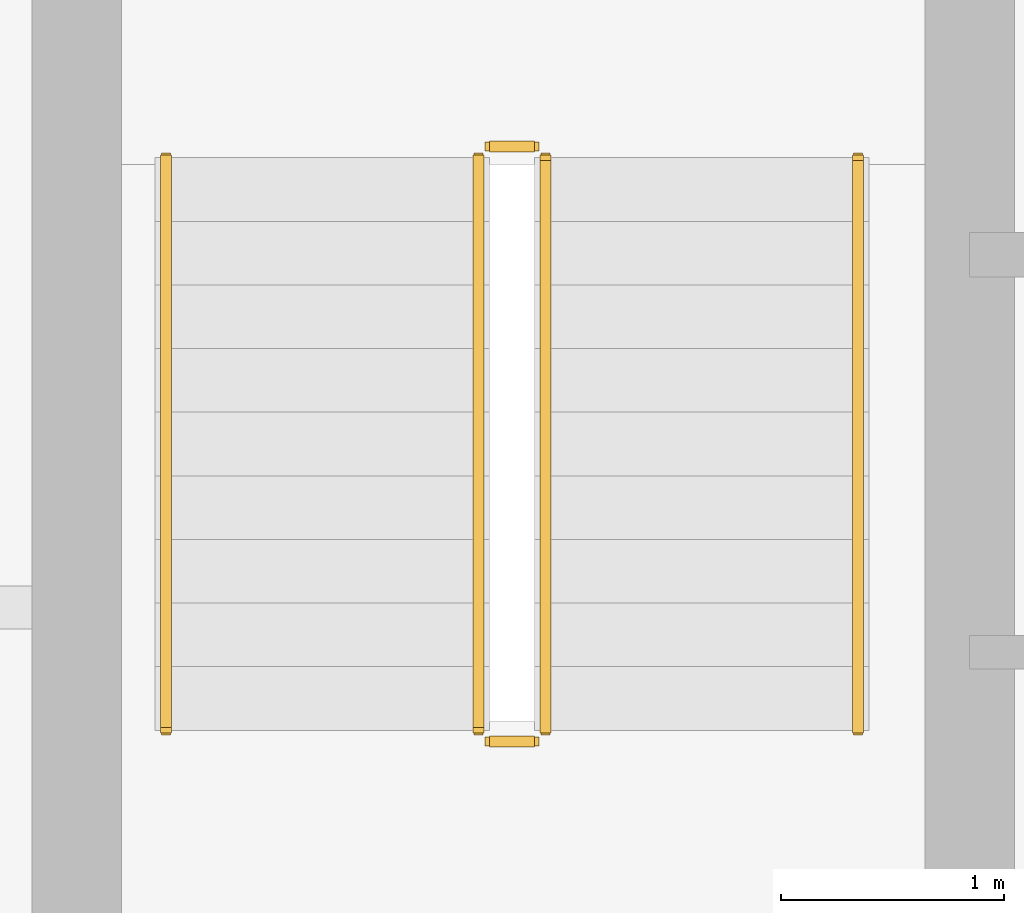
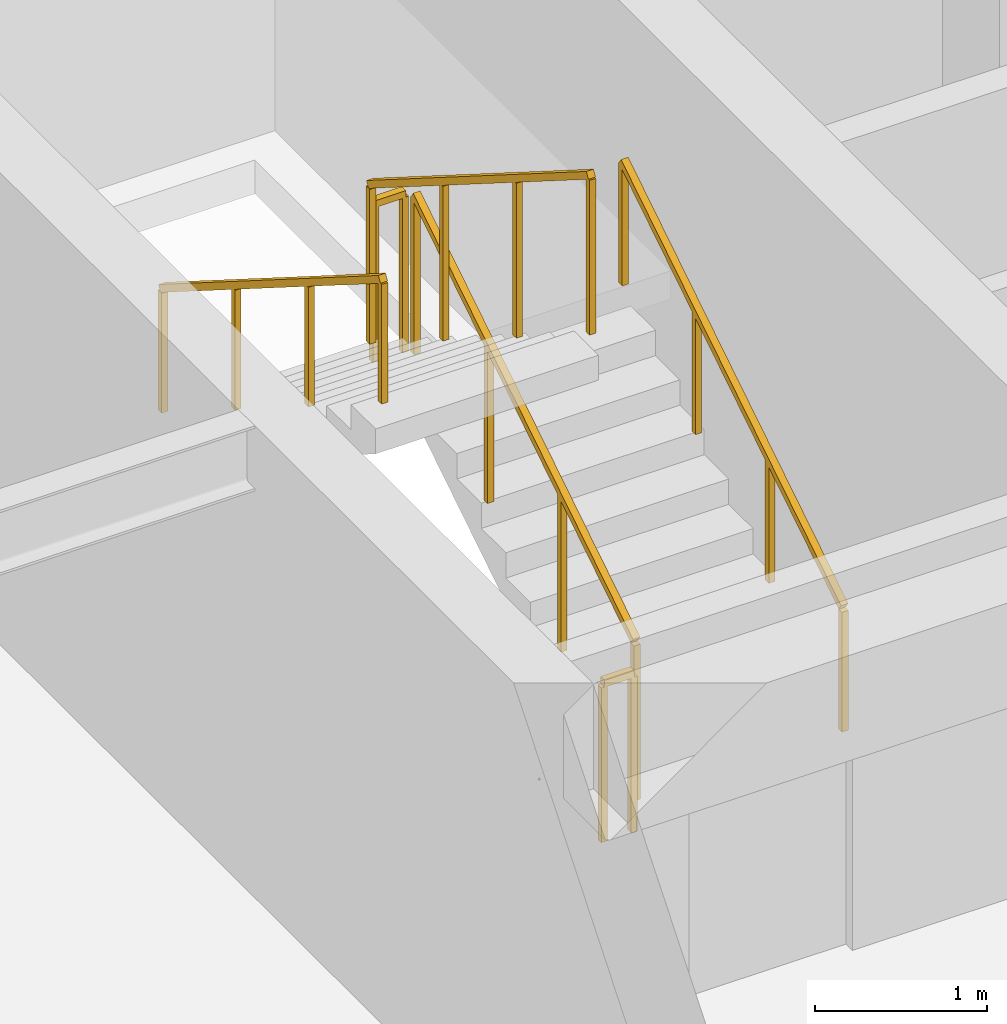
# One storey, part 21 of 23: 6 railings.
"""IFC4 building model written with IfcOpenShell, lengths in metres."""

from ifc_helpers import new_model, si_unit, direction, frame, origin, origin_2d, place, context, subcontext, project, spatial, rectangle, extrude, material, type_object, element, save


model = new_model("IFC4")

# Units and contexts
model_context = context("Model", 3, precision=1e-05, world=origin(), true_north=direction((0.0, 1.0)))
body_context = subcontext(model_context, "Body", "Model", "MODEL_VIEW")
ifc_project = project(units=[si_unit("LENGTHUNIT", "METRE"), si_unit("AREAUNIT", "SQUARE_METRE"), si_unit("VOLUMEUNIT", "CUBIC_METRE"), si_unit("PLANEANGLEUNIT", "RADIAN"), si_unit("MASSUNIT", "GRAM", prefix="KILO")], contexts=[model_context])

# Site, building, storey
site_placement = place(None, origin())
site = spatial("IfcSite", under=ifc_project, at=site_placement, CompositionType="ELEMENT")
building_placement = place(site_placement, origin())
building = spatial("IfcBuilding", under=site, at=building_placement, Name="Sarneth Arch Tower", CompositionType="ELEMENT")
storey_placement = place(building_placement, frame((0.0, 0.0, 220.800048828125)))
storey = spatial("IfcBuildingStorey", under=building, at=storey_placement, Name="L56", CompositionType="ELEMENT", Elevation=220.800048828125)

# Railings
ifc_material_1 = material(Name="Brushed Stainless Steel 304 tubular handrail", Category="steel")
railing_type_1 = type_object("IfcRailingType", Name="RAIL-HANDRAIL-900", PredefinedType="HANDRAIL", material=ifc_material_1)
railing_1_placement = place(storey_placement, frame((40.5, 41.449951171875, 0.179931640625)))
element("IfcRailing", 1, at=railing_1_placement, inside=storey, type_object=railing_type_1, Name="L56 ST-1 stair handrail 1", PredefinedType="HANDRAIL", context=body_context, shape_type="SweptSolid", body=[
    extrude(rectangle(XDim=0.048095703125, YDim=0.048095703125, at=origin_2d()), frame((0.0, 0.0, 0.8759765625), z_axis=(0.0, 0.845465955043, 0.534029323973), x_axis=(-1.0, 0.0, 0.0)), (0.0, 0.0, 1.0), 3.03369140625),
    extrude(rectangle(XDim=0.0419921875, YDim=0.0419921875, at=origin_2d()), origin(), (0.0, 0.0, 1.0), 0.851806640625),
    extrude(rectangle(XDim=0.0419921875, YDim=0.0419921875, at=origin_2d()), frame((0.0, 0.85498046875, 0.5400390625)), (0.0, 0.0, 1.0), 0.851806640625),
    extrude(rectangle(XDim=0.0419921875, YDim=0.0419921875, at=origin_2d()), frame((0.0, 1.7099609375, 1.080078125)), (0.0, 0.0, 1.0), 0.851806640625),
    extrude(rectangle(XDim=0.0419921875, YDim=0.0419921875, at=origin_2d()), frame((0.0, 2.56494140625, 1.6201171875)), (0.0, 0.0, 1.0), 0.851806640625),
])
railing_2_placement = place(storey_placement, frame((37.39990234375, 44.014892578125, 1.97998046875)))
element("IfcRailing", 2, at=railing_2_placement, inside=storey, type_object=railing_type_1, Name="L56 ST-1 stair handrail 2", PredefinedType="HANDRAIL", context=body_context, shape_type="SweptSolid", body=[
    extrude(rectangle(XDim=0.048095703125, YDim=0.048095703125, at=origin_2d()), frame((0.0, 0.0, 0.8759765625), z_axis=(0.0, -0.845502289212, 0.533971796014), x_axis=(1.0, 0.0, 0.0)), (0.0, 0.0, 1.0), 3.03369140625),
    extrude(rectangle(XDim=0.0419921875, YDim=0.0419921875, at=origin_2d()), origin(), (0.0, 0.0, 1.0), 0.851806640625),
    extrude(rectangle(XDim=0.0419921875, YDim=0.0419921875, at=origin_2d()), frame((0.0, -0.85498046875, 0.5400390625)), (0.0, 0.0, 1.0), 0.851806640625),
    extrude(rectangle(XDim=0.0419921875, YDim=0.0419921875, at=origin_2d()), frame((0.0, -1.7099609375, 1.079833984375)), (0.0, 0.0, 1.0), 0.851806640625),
    extrude(rectangle(XDim=0.0419921875, YDim=0.0419921875, at=origin_2d()), frame((0.0, -2.56494140625, 1.619873046875)), (0.0, 0.0, 1.0), 0.851806640625),
])
ifc_material_2 = material(Name="Painted Steel S275 stair well guard", Category="steel")
railing_type_2 = type_object("IfcRailingType", Name="RAIL-STAIR-GUARD", PredefinedType="GUARDRAIL", material=ifc_material_2)
railing_3_placement = place(storey_placement, frame((39.10009765625, 41.449951171875, 0.179931640625)))
element("IfcRailing", 3, at=railing_3_placement, inside=storey, type_object=railing_type_2, Name="L56 ST-1 stair guard 1", PredefinedType="GUARDRAIL", context=body_context, shape_type="SweptSolid", body=[
    extrude(rectangle(XDim=0.048095703125, YDim=0.048095703125, at=origin_2d()), frame((0.0, 0.0, 1.1259765625), z_axis=(0.0, 0.845465955043, 0.534029323973), x_axis=(-1.0, 0.0, 0.0)), (0.0, 0.0, 1.0), 3.03369140625),
    extrude(rectangle(XDim=0.0419921875, YDim=0.0419921875, at=origin_2d()), origin(), (0.0, 0.0, 1.0), 1.101806640625),
    extrude(rectangle(XDim=0.0419921875, YDim=0.0419921875, at=origin_2d()), frame((0.0, 0.85498046875, 0.5400390625)), (0.0, 0.0, 1.0), 1.101806640625),
    extrude(rectangle(XDim=0.0419921875, YDim=0.0419921875, at=origin_2d()), frame((0.0, 1.7099609375, 1.080078125)), (0.0, 0.0, 1.0), 1.101806640625),
    extrude(rectangle(XDim=0.0419921875, YDim=0.0419921875, at=origin_2d()), frame((0.0, 2.56494140625, 1.6201171875)), (0.0, 0.0, 1.0), 1.101806640625),
])
railing_4_placement = place(storey_placement, frame((39.050048828125, 44.06494140625, 1.800048828125)))
element("IfcRailing", 4, at=railing_4_placement, inside=storey, type_object=railing_type_2, Name="L56 ST-1 stair guard 2", PredefinedType="GUARDRAIL", context=body_context, shape_type="SweptSolid", body=[
    extrude(rectangle(XDim=0.048095703125, YDim=0.048095703125, at=origin_2d()), frame((0.0, 0.0, 1.1259765625), z_axis=(-1.0, 0.0, 0.0), x_axis=(0.0, -1.0, 0.0)), (0.0, 0.0, 1.0), 0.199951171875),
    extrude(rectangle(XDim=0.0419921875, YDim=0.0419921875, at=origin_2d()), origin(), (0.0, 0.0, 1.0), 1.101806640625),
    extrude(rectangle(XDim=0.0419921875, YDim=0.0419921875, at=origin_2d()), frame((-0.199951171875, 0.0, 0.0)), (0.0, 0.0, 1.0), 1.101806640625),
])
railing_5_placement = place(storey_placement, frame((38.800048828125, 44.014892578125, 1.97998046875)))
element("IfcRailing", 5, at=railing_5_placement, inside=storey, type_object=railing_type_2, Name="L56 ST-1 stair guard 3", PredefinedType="GUARDRAIL", context=body_context, shape_type="SweptSolid", body=[
    extrude(rectangle(XDim=0.048095703125, YDim=0.048095703125, at=origin_2d()), frame((0.0, 0.0, 1.1259765625), z_axis=(0.0, -0.845502289212, 0.533971796014), x_axis=(1.0, 0.0, 0.0)), (0.0, 0.0, 1.0), 3.03369140625),
    extrude(rectangle(XDim=0.0419921875, YDim=0.0419921875, at=origin_2d()), origin(), (0.0, 0.0, 1.0), 1.101806640625),
    extrude(rectangle(XDim=0.0419921875, YDim=0.0419921875, at=origin_2d()), frame((0.0, -0.85498046875, 0.5400390625)), (0.0, 0.0, 1.0), 1.101806640625),
    extrude(rectangle(XDim=0.0419921875, YDim=0.0419921875, at=origin_2d()), frame((0.0, -1.7099609375, 1.079833984375)), (0.0, 0.0, 1.0), 1.101806640625),
    extrude(rectangle(XDim=0.0419921875, YDim=0.0419921875, at=origin_2d()), frame((0.0, -2.56494140625, 1.619873046875)), (0.0, 0.0, 1.0), 1.101806640625),
])
railing_6_placement = place(storey_placement, frame((39.050048828125, 41.39990234375, 0.0)))
element("IfcRailing", 6, at=railing_6_placement, inside=storey, type_object=railing_type_2, Name="L56 ST-1 stair guard 4", PredefinedType="GUARDRAIL", context=body_context, shape_type="SweptSolid", body=[
    extrude(rectangle(XDim=0.048095703125, YDim=0.048095703125, at=origin_2d()), frame((0.0, 0.0, 1.1259765625), z_axis=(-1.0, 0.0, 0.0), x_axis=(0.0, -1.0, 0.0)), (0.0, 0.0, 1.0), 0.199951171875),
    extrude(rectangle(XDim=0.0419921875, YDim=0.0419921875, at=origin_2d()), origin(), (0.0, 0.0, 1.0), 1.101806640625),
    extrude(rectangle(XDim=0.0419921875, YDim=0.0419921875, at=origin_2d()), frame((-0.199951171875, 0.0, 0.0)), (0.0, 0.0, 1.0), 1.101806640625),
])

save(model, "model.ifc")
